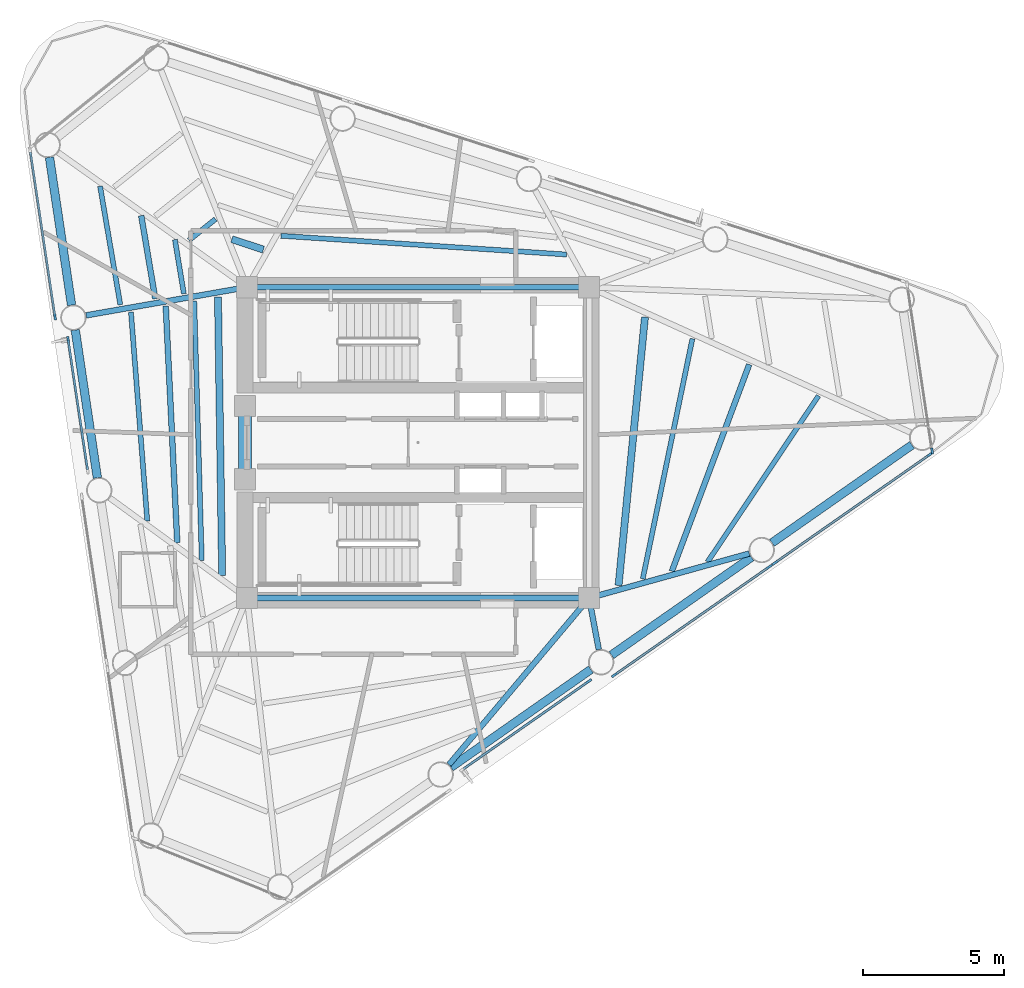
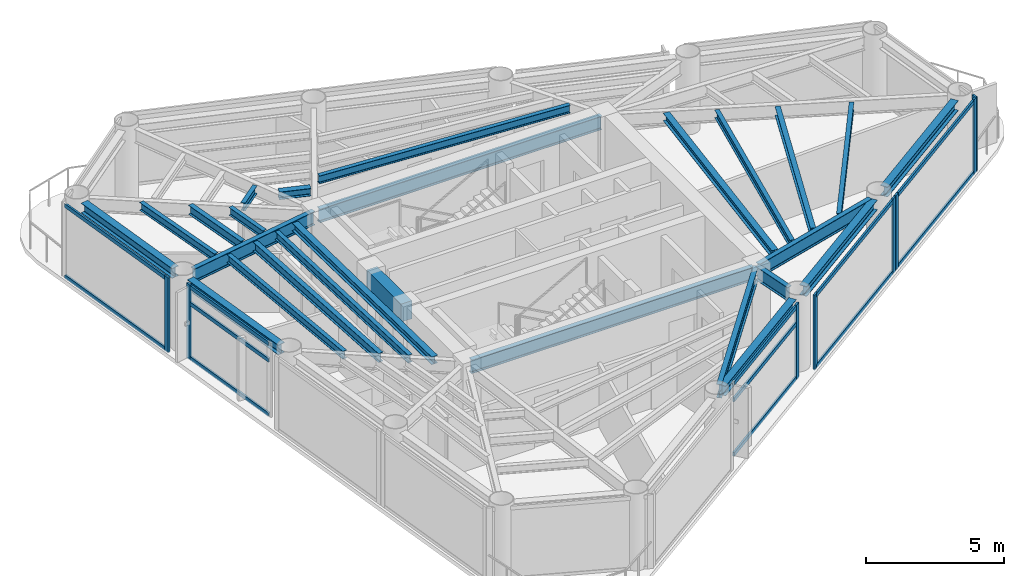
# One storey, part 2 of 9: 26 beams, 20 members, 6 elements without a shape of their own.
"""IFC4 building model written with IfcOpenShell, lengths in metres."""

from ifc_helpers import new_model, si_unit, direction, frame, origin, origin_2d, place, context, subcontext, project, spatial, rectangle, i_section, extrude, source, transform, mapped, material, layer, layer_set, material_profile, profile_set, type_object, element, aggregate, save


model = new_model("IFC4")

# Units and contexts
model_context = context("Model", 3, precision=1e-05, world=origin(), true_north=direction((0.0, 1.0)))
body_context = subcontext(model_context, "Body", "Model", "MODEL_VIEW")
ifc_project = project(units=[si_unit("LENGTHUNIT", "METRE"), si_unit("AREAUNIT", "SQUARE_METRE"), si_unit("VOLUMEUNIT", "CUBIC_METRE"), si_unit("PLANEANGLEUNIT", "RADIAN"), si_unit("MASSUNIT", "GRAM", prefix="KILO")], contexts=[model_context])

# Site, building, storey
site_placement = place(None, origin())
site = spatial("IfcSite", under=ifc_project, at=site_placement, CompositionType="ELEMENT")
building_placement = place(site_placement, origin())
building = spatial("IfcBuilding", under=site, at=building_placement, Name="Yunling Apex Tower", CompositionType="ELEMENT")
storey_placement = place(building_placement, frame((0.0, 0.0, 264.35009765625)))
storey = spatial("IfcBuildingStorey", under=building, at=storey_placement, Name="L64", CompositionType="ELEMENT", Elevation=264.35009765625)

# Beams
ifc_material_1 = material(Name="Concrete C40", Category="concrete")
ifc_material_profile_1 = material_profile(ifc_material_1, rectangle(XDim=0.449951171875, YDim=0.800048828125, at=origin_2d()))
ifc_profile_set_1 = profile_set([ifc_material_profile_1], Name="Concrete C40")
beam_type_1 = type_object("IfcBeamType", Name="BC-CPL-3", PredefinedType="BEAM", material=ifc_profile_set_1)
shared_shape_1 = source(origin(), body_context, "Body", "SweptSolid", [
    extrude(rectangle(XDim=0.449951171875, YDim=0.800048828125, at=origin_2d()), origin(), (0.0, 0.0, 1.0), 2.5),
])
beam_1_placement = place(storey_placement, frame((-6.125, -1.25, 2.81982421875), z_axis=(0.0, 1.0, 0.0), x_axis=(-1.0, 0.0, 0.0)))
element("IfcBeam", 1, at=beam_1_placement, inside=storey, type_object=beam_type_1, Name="L64 Core West Portal Coupling Beam", PredefinedType="BEAM", context=body_context, shape_type="MappedRepresentation", body=[
    mapped(shared_shape_1, transform((0.0, 0.0, 0.0), scale=1.0)),
])
ifc_material_2 = material(Name="Steel Q355B", Category="steel")
ifc_material_profile_2 = material_profile(ifc_material_2, i_section(OverallWidth=0.199951171875, OverallDepth=0.60009765625, WebThickness=0.010986328125, FlangeThickness=0.01708984375, FilletRadius=0.02197265625, at=origin_2d()))
ifc_profile_set_2 = profile_set([ifc_material_profile_2], Name="Steel Q355B")
beam_type_2 = type_object("IfcBeamType", Name="BG-PRI-5", PredefinedType="USERDEFINED", material=ifc_profile_set_2)
shared_shape_2 = source(origin(), body_context, "Body", "SweptSolid", [
    extrude(i_section(OverallWidth=0.199951171875, OverallDepth=0.60009765625, WebThickness=0.010986328125, FlangeThickness=0.01708984375, FilletRadius=0.02197265625, at=origin_2d()), origin(), (0.0, 0.0, 1.0), 11.7998046875),
])
for number, where, z_axis, x_axis, name in (
    (2, (-5.89990234375, -5.5, 2.919921875), (1.0, 0.0, 0.0), (0.0, 1.0, 0.0), "L64 Core Ring Tie Beam 1"),
    (3, (5.89990234375, 5.5, 2.919921875), (-1.0, 0.0, 0.0), (0.0, -1.0, 0.0), "L64 Core Ring Tie Beam 3"),
):
    element("IfcBeam", number, at=place(storey_placement, frame(where, z_axis=z_axis, x_axis=x_axis)), inside=storey, type_object=beam_type_2, Name=name, ObjectType="GIRDER", PredefinedType="USERDEFINED", context=body_context, shape_type="MappedRepresentation", body=[
        mapped(shared_shape_2, transform((0.0, 0.0, 0.0), scale=1.0)),
    ])
ifc_material_profile_3 = material_profile(ifc_material_2, i_section(OverallWidth=0.300048828125, OverallDepth=0.43994140625, WebThickness=0.010986328125, FlangeThickness=0.01806640625, FilletRadius=0.02197265625, at=origin_2d()))
ifc_profile_set_3 = profile_set([ifc_material_profile_3], Name="Steel Q355B")
beam_type_3 = type_object("IfcBeamType", Name="BP-SPN-3", PredefinedType="SPANDREL", material=ifc_profile_set_3)
shared_shape_3 = source(origin(), body_context, "Body", "SweptSolid", [
    extrude(i_section(OverallWidth=0.300048828125, OverallDepth=0.43994140625, WebThickness=0.010986328125, FlangeThickness=0.01806640625, FilletRadius=0.02197265625, at=origin_2d()), origin(), (0.0, 0.0, 1.0), 6.043701171875),
])
for number, where, z_axis, x_axis, name in (
    (4, (1.160888671875, -11.490478515625, 3.0), (0.819546828705, 0.5730122124, 0.0), (-0.5730122124, 0.819546828705, 0.0), "L64 Perimeter Spandrel Beam 2"),
    (5, (6.841796875, -7.5185546875, 3.0), (0.819546828705, 0.5730122124, 0.0), (-0.5730122124, 0.819546828705, 0.0), "L64 Perimeter Spandrel Beam 3"),
    (6, (12.522705078125, -3.546630859375, 3.0), (0.819546828705, 0.5730122124, 0.0), (-0.5730122124, 0.819546828705, 0.0), "L64 Perimeter Spandrel Beam 4"),
):
    element("IfcBeam", number, at=place(storey_placement, frame(where, z_axis=z_axis, x_axis=x_axis)), inside=storey, type_object=beam_type_3, Name=name, PredefinedType="SPANDREL", context=body_context, shape_type="MappedRepresentation", body=[
        mapped(shared_shape_3, transform((0.0, 0.0, 0.0), scale=1.0)),
    ])
shared_shape_4 = source(origin(), body_context, "Body", "SweptSolid", [
    extrude(i_section(OverallWidth=0.300048828125, OverallDepth=0.43994140625, WebThickness=0.010986328125, FlangeThickness=0.01806640625, FilletRadius=0.02197265625, at=origin_2d()), origin(), (0.0, 0.0, 1.0), 5.289306640625),
])
for number, where, z_axis, x_axis, name in (
    (7, (-13.044189453125, 10.09326171875, 3.0), (0.147841619944, -0.989011049186, 0.0), (0.989011049186, 0.147841619944, 0.0), "L64 Perimeter Spandrel Beam 11"),
    (8, (-12.131103515625, 3.98388671875, 3.0), (0.147796471114, -0.989017797174, 0.0), (0.989017797174, 0.147796471114, 0.0), "L64 Perimeter Spandrel Beam 12"),
):
    element("IfcBeam", number, at=place(storey_placement, frame(where, z_axis=z_axis, x_axis=x_axis)), inside=storey, type_object=beam_type_3, Name=name, PredefinedType="SPANDREL", context=body_context, shape_type="MappedRepresentation", body=[
        mapped(shared_shape_4, transform((0.0, 0.0, 0.0), scale=1.0)),
    ])
shared_shape_5 = source(origin(), body_context, "Body", "SweptSolid", [
    extrude(i_section(OverallWidth=0.199951171875, OverallDepth=0.60009765625, WebThickness=0.010986328125, FlangeThickness=0.01708984375, FilletRadius=0.02197265625, at=origin_2d()), origin(), (0.0, 0.0, 1.0), 7.622314453125),
])
beam_2_placement = place(storey_placement, frame((1.091796875, -11.394287109375, 2.919921875), z_axis=(0.64373126237, 0.765251633025, 0.0), x_axis=(-0.765251633025, 0.64373126237, 0.0)))
element("IfcBeam", 9, at=beam_2_placement, inside=storey, type_object=beam_type_2, Name="L64 Radial Primary Girder R02", ObjectType="GIRDER", PredefinedType="USERDEFINED", context=body_context, shape_type="MappedRepresentation", body=[
    mapped(shared_shape_5, transform((0.0, 0.0, 0.0), scale=1.0)),
])
shared_shape_6 = source(origin(), body_context, "Body", "SweptSolid", [
    extrude(i_section(OverallWidth=0.199951171875, OverallDepth=0.60009765625, WebThickness=0.010986328125, FlangeThickness=0.01708984375, FilletRadius=0.02197265625, at=origin_2d()), origin(), (0.0, 0.0, 1.0), 1.775146484375),
])
beam_3_placement = place(storey_placement, frame((6.393310546875, -7.322998046875, 2.919921875), z_axis=(-0.185127194989, 0.982714567754, 0.0), x_axis=(-0.982714567754, -0.185127194989, 0.0)))
element("IfcBeam", 10, at=beam_3_placement, inside=storey, type_object=beam_type_2, Name="L64 Radial Primary Girder R03", ObjectType="GIRDER", PredefinedType="USERDEFINED", context=body_context, shape_type="MappedRepresentation", body=[
    mapped(shared_shape_6, transform((0.0, 0.0, 0.0), scale=1.0)),
])
shared_shape_7 = source(origin(), body_context, "Body", "SweptSolid", [
    extrude(i_section(OverallWidth=0.199951171875, OverallDepth=0.60009765625, WebThickness=0.010986328125, FlangeThickness=0.01708984375, FilletRadius=0.02197265625, at=origin_2d()), origin(), (0.0, 0.0, 1.0), 5.802490234375),
])
beam_4_placement = place(storey_placement, frame((11.717529296875, -3.923828125, 2.919921875), z_axis=(-0.963437091081, -0.267934640405, 0.0), x_axis=(0.267934640405, -0.963437091081, 0.0)))
element("IfcBeam", 11, at=beam_4_placement, inside=storey, type_object=beam_type_2, Name="L64 Radial Primary Girder R04", ObjectType="GIRDER", PredefinedType="USERDEFINED", context=body_context, shape_type="MappedRepresentation", body=[
    mapped(shared_shape_7, transform((0.0, 0.0, 0.0), scale=1.0)),
])
shared_shape_8 = source(origin(), body_context, "Body", "SweptSolid", [
    extrude(i_section(OverallWidth=0.199951171875, OverallDepth=0.60009765625, WebThickness=0.010986328125, FlangeThickness=0.01708984375, FilletRadius=0.02197265625, at=origin_2d()), origin(), (0.0, 0.0, 1.0), 5.7021484375),
])
beam_5_placement = place(storey_placement, frame((-11.74560546875, 4.501953125, 2.919921875), z_axis=(0.984994459553, 0.172585963073, 0.0), x_axis=(-0.172585963073, 0.984994459553, 0.0)))
element("IfcBeam", 12, at=beam_5_placement, inside=storey, type_object=beam_type_2, Name="L64 Radial Primary Girder R12", ObjectType="GIRDER", PredefinedType="USERDEFINED", context=body_context, shape_type="MappedRepresentation", body=[
    mapped(shared_shape_8, transform((0.0, 0.0, 0.0), scale=1.0)),
])
ifc_material_profile_4 = material_profile(ifc_material_2, i_section(OverallWidth=0.199951171875, OverallDepth=0.39990234375, WebThickness=0.008056640625, FlangeThickness=0.012939453125, FilletRadius=0.01611328125, at=origin_2d()))
ifc_profile_set_4 = profile_set([ifc_material_profile_4], Name="Steel Q355B")
beam_type_4 = type_object("IfcBeamType", Name="BS-SEC-4", PredefinedType="BEAM", material=ifc_profile_set_4)
shared_shape_9 = source(origin(), body_context, "Body", "SweptSolid", [
    extrude(i_section(OverallWidth=0.199951171875, OverallDepth=0.39990234375, WebThickness=0.008056640625, FlangeThickness=0.012939453125, FilletRadius=0.01611328125, at=origin_2d()), origin(), (0.0, 0.0, 1.0), 7.810546875),
])
beam_6_placement = place(storey_placement, frame((8.978515625, -4.551513671875, 3.02001953125), z_axis=(0.350554744198, 0.936542242144, 0.0), x_axis=(-0.936542242144, 0.350554744198, 0.0)))
element("IfcBeam", 13, at=beam_6_placement, inside=storey, type_object=beam_type_4, Name="L64 Composite Floor Beam BS-4", PredefinedType="BEAM", context=body_context, shape_type="MappedRepresentation", body=[
    mapped(shared_shape_9, transform((0.0, 0.0, 0.0), scale=1.0)),
])
ifc_material_profile_5 = material_profile(ifc_material_2, i_section(OverallWidth=0.175048828125, OverallDepth=0.35009765625, WebThickness=0.007080078125, FlangeThickness=0.010986328125, FilletRadius=0.013916015625, at=origin_2d()))
ifc_profile_set_5 = profile_set([ifc_material_profile_5], Name="Steel Q355B")
beam_type_5 = type_object("IfcBeamType", Name="BJ-JST-1", PredefinedType="JOIST", material=ifc_profile_set_5)
shared_shape_10 = source(origin(), body_context, "Body", "SweptSolid", [
    extrude(i_section(OverallWidth=0.175048828125, OverallDepth=0.35009765625, WebThickness=0.007080078125, FlangeThickness=0.010986328125, FilletRadius=0.013916015625, at=origin_2d()), origin(), (0.0, 0.0, 1.0), 7.07373046875),
])
beam_7_placement = place(storey_placement, frame((10.240966796875, -4.22607421875, 3.044921875), z_axis=(0.555384960756, 0.831593377418, 0.0), x_axis=(-0.831593377418, 0.555384960756, 0.0)))
element("IfcBeam", 14, at=beam_7_placement, inside=storey, type_object=beam_type_5, Name="L64 Composite Floor Joist BJ1-4", PredefinedType="JOIST", context=body_context, shape_type="MappedRepresentation", body=[
    mapped(shared_shape_10, transform((0.0, 0.0, 0.0), scale=1.0)),
])
shared_shape_11 = source(origin(), body_context, "Body", "SweptSolid", [
    extrude(i_section(OverallWidth=0.175048828125, OverallDepth=0.35009765625, WebThickness=0.007080078125, FlangeThickness=0.010986328125, FilletRadius=0.013916015625, at=origin_2d()), origin(), (0.0, 0.0, 1.0), 8.68017578125),
])
beam_8_placement = place(storey_placement, frame((7.948486328125, -4.824462890625, 3.044921875), z_axis=(0.202510736311, 0.97928004252, 0.0), x_axis=(-0.97928004252, 0.202510736311, 0.0)))
element("IfcBeam", 15, at=beam_8_placement, inside=storey, type_object=beam_type_5, Name="L64 Composite Floor Joist BJ3-4", PredefinedType="JOIST", context=body_context, shape_type="MappedRepresentation", body=[
    mapped(shared_shape_11, transform((0.0, 0.0, 0.0), scale=1.0)),
])
ifc_material_profile_6 = material_profile(ifc_material_2, i_section(OverallWidth=0.25, OverallDepth=0.340087890625, WebThickness=0.009033203125, FlangeThickness=0.013916015625, FilletRadius=0.01806640625, at=origin_2d()))
ifc_profile_set_6 = profile_set([ifc_material_profile_6], Name="Steel Q355B")
beam_type_6 = type_object("IfcBeamType", Name="BJ-JST-2", PredefinedType="JOIST", material=ifc_profile_set_6)
shared_shape_12 = source(origin(), body_context, "Body", "SweptSolid", [
    extrude(i_section(OverallWidth=0.25, OverallDepth=0.340087890625, WebThickness=0.009033203125, FlangeThickness=0.013916015625, FilletRadius=0.01806640625, at=origin_2d()), origin(), (0.0, 0.0, 1.0), 9.54052734375),
])
beam_9_placement = place(storey_placement, frame((7.093017578125, -5.05517578125, 3.0498046875), z_axis=(0.098008759691, 0.995185552057, 0.0), x_axis=(-0.995185552057, 0.098008759691, 0.0)))
element("IfcBeam", 16, at=beam_9_placement, inside=storey, type_object=beam_type_6, Name="L64 Composite Floor Joist BJ2-4", PredefinedType="JOIST", context=body_context, shape_type="MappedRepresentation", body=[
    mapped(shared_shape_12, transform((0.0, 0.0, 0.0), scale=1.0)),
])
shared_shape_13 = source(origin(), body_context, "Body", "SweptSolid", [
    extrude(i_section(OverallWidth=0.175048828125, OverallDepth=0.35009765625, WebThickness=0.007080078125, FlangeThickness=0.010986328125, FilletRadius=0.013916015625, at=origin_2d()), origin(), (0.0, 0.0, 1.0), 10.130615234375),
])
beam_10_placement = place(storey_placement, frame((5.254150390625, 6.654541015625, 3.044921875), z_axis=(-0.997852458327, 0.065501690135, 0.0), x_axis=(-0.065501690135, -0.997852458327, 0.0)))
element("IfcBeam", 17, at=beam_10_placement, inside=storey, type_object=beam_type_5, Name="L64 Composite Floor Joist BJ3-8", PredefinedType="JOIST", context=body_context, shape_type="MappedRepresentation", body=[
    mapped(shared_shape_13, transform((0.0, 0.0, 0.0), scale=1.0)),
])
shared_shape_14 = source(origin(), body_context, "Body", "SweptSolid", [
    extrude(i_section(OverallWidth=0.25, OverallDepth=0.340087890625, WebThickness=0.009033203125, FlangeThickness=0.013916015625, FilletRadius=0.01806640625, at=origin_2d()), origin(), (0.0, 0.0, 1.0), 1.1728515625),
])
beam_11_placement = place(storey_placement, frame((-5.4775390625, 6.8291015625, 3.0498046875), z_axis=(-0.949595193506, 0.31347881662, 0.0), x_axis=(-0.31347881662, -0.949595193506, 0.0)))
element("IfcBeam", 18, at=beam_11_placement, inside=storey, type_object=beam_type_6, Name="L64 Composite Floor Joist BJ2-9", PredefinedType="JOIST", context=body_context, shape_type="MappedRepresentation", body=[
    mapped(shared_shape_14, transform((0.0, 0.0, 0.0), scale=1.0)),
])
shared_shape_15 = source(origin(), body_context, "Body", "SweptSolid", [
    extrude(i_section(OverallWidth=0.175048828125, OverallDepth=0.35009765625, WebThickness=0.007080078125, FlangeThickness=0.010986328125, FilletRadius=0.013916015625, at=origin_2d()), origin(), (0.0, 0.0, 1.0), 1.2021484375),
])
beam_12_placement = place(storey_placement, frame((-7.169921875, 7.9072265625, 3.044921875), z_axis=(-0.781225299788, -0.624249173785, 0.0), x_axis=(0.624249173785, -0.781225299788, 0.0)))
element("IfcBeam", 19, at=beam_12_placement, inside=storey, type_object=beam_type_5, Name="L64 Composite Floor Joist BJ3-10", PredefinedType="JOIST", context=body_context, shape_type="MappedRepresentation", body=[
    mapped(shared_shape_15, transform((0.0, 0.0, 0.0), scale=1.0)),
])
shared_shape_16 = source(origin(), body_context, "Body", "SweptSolid", [
    extrude(i_section(OverallWidth=0.199951171875, OverallDepth=0.39990234375, WebThickness=0.008056640625, FlangeThickness=0.012939453125, FilletRadius=0.01611328125, at=origin_2d()), origin(), (0.0, 0.0, 1.0), 2.980712890625),
])
beam_13_placement = place(storey_placement, frame((-9.796630859375, 8.031982421875, 3.02001953125), z_axis=(0.166351127682, -0.986066581078, 0.0), x_axis=(0.986066581078, 0.166351127682, 0.0)))
element("IfcBeam", 20, at=beam_13_placement, inside=storey, type_object=beam_type_4, Name="L64 Composite Floor Beam BS-11", PredefinedType="BEAM", context=body_context, shape_type="MappedRepresentation", body=[
    mapped(shared_shape_16, transform((0.0, 0.0, 0.0), scale=1.0)),
])
shared_shape_17 = source(origin(), body_context, "Body", "SweptSolid", [
    extrude(i_section(OverallWidth=0.175048828125, OverallDepth=0.35009765625, WebThickness=0.007080078125, FlangeThickness=0.010986328125, FilletRadius=0.013916015625, at=origin_2d()), origin(), (0.0, 0.0, 1.0), 4.2548828125),
])
beam_14_placement = place(storey_placement, frame((-11.253173828125, 9.0703125, 3.044921875), z_axis=(0.168352217176, -0.985726904864, 0.0), x_axis=(0.985726904864, 0.168352217176, 0.0)))
element("IfcBeam", 21, at=beam_14_placement, inside=storey, type_object=beam_type_5, Name="L64 Composite Floor Joist BJ1-11", PredefinedType="JOIST", context=body_context, shape_type="MappedRepresentation", body=[
    mapped(shared_shape_17, transform((0.0, 0.0, 0.0), scale=1.0)),
])
shared_shape_18 = source(origin(), body_context, "Body", "SweptSolid", [
    extrude(i_section(OverallWidth=0.175048828125, OverallDepth=0.35009765625, WebThickness=0.007080078125, FlangeThickness=0.010986328125, FilletRadius=0.013916015625, at=origin_2d()), origin(), (0.0, 0.0, 1.0), 1.93798828125),
])
beam_15_placement = place(storey_placement, frame((-8.605224609375, 7.18212890625, 3.044921875), z_axis=(0.163009711077, -0.986624464573, 0.0), x_axis=(0.986624464573, 0.163009711077, 0.0)))
element("IfcBeam", 22, at=beam_15_placement, inside=storey, type_object=beam_type_5, Name="L64 Composite Floor Joist BJ3-11", PredefinedType="JOIST", context=body_context, shape_type="MappedRepresentation", body=[
    mapped(shared_shape_18, transform((0.0, 0.0, 0.0), scale=1.0)),
])
shared_shape_19 = source(origin(), body_context, "Body", "SweptSolid", [
    extrude(i_section(OverallWidth=0.199951171875, OverallDepth=0.39990234375, WebThickness=0.008056640625, FlangeThickness=0.012939453125, FilletRadius=0.01611328125, at=origin_2d()), origin(), (0.0, 0.0, 1.0), 8.388916015625),
])
beam_16_placement = place(storey_placement, frame((-8.929443359375, 4.834228515625, 3.02001953125), z_axis=(0.048573134041, -0.998819628687, 0.0), x_axis=(0.998819628687, 0.048573134041, 0.0)))
element("IfcBeam", 23, at=beam_16_placement, inside=storey, type_object=beam_type_4, Name="L64 Composite Floor Beam BS-12", PredefinedType="BEAM", context=body_context, shape_type="MappedRepresentation", body=[
    mapped(shared_shape_19, transform((0.0, 0.0, 0.0), scale=1.0)),
])
shared_shape_20 = source(origin(), body_context, "Body", "SweptSolid", [
    extrude(i_section(OverallWidth=0.175048828125, OverallDepth=0.35009765625, WebThickness=0.007080078125, FlangeThickness=0.010986328125, FilletRadius=0.013916015625, at=origin_2d()), origin(), (0.0, 0.0, 1.0), 7.416259765625),
])
beam_17_placement = place(storey_placement, frame((-10.160400390625, 4.6181640625, 3.044921875), z_axis=(0.077952594819, -0.996957066759, 0.0), x_axis=(0.996957066759, 0.077952594819, 0.0)))
element("IfcBeam", 24, at=beam_17_placement, inside=storey, type_object=beam_type_5, Name="L64 Composite Floor Joist BJ1-12", PredefinedType="JOIST", context=body_context, shape_type="MappedRepresentation", body=[
    mapped(shared_shape_20, transform((0.0, 0.0, 0.0), scale=1.0)),
])
shared_shape_21 = source(origin(), body_context, "Body", "SweptSolid", [
    extrude(i_section(OverallWidth=0.175048828125, OverallDepth=0.35009765625, WebThickness=0.007080078125, FlangeThickness=0.010986328125, FilletRadius=0.013916015625, at=origin_2d()), origin(), (0.0, 0.0, 1.0), 9.189208984375),
])
beam_18_placement = place(storey_placement, frame((-7.92138671875, 5.01123046875, 3.044921875), z_axis=(0.028986034605, -0.999579816622, 0.0), x_axis=(0.999579816622, 0.028986034605, 0.0)))
element("IfcBeam", 25, at=beam_18_placement, inside=storey, type_object=beam_type_5, Name="L64 Composite Floor Joist BJ3-12", PredefinedType="JOIST", context=body_context, shape_type="MappedRepresentation", body=[
    mapped(shared_shape_21, transform((0.0, 0.0, 0.0), scale=1.0)),
])
shared_shape_22 = source(origin(), body_context, "Body", "SweptSolid", [
    extrude(i_section(OverallWidth=0.25, OverallDepth=0.340087890625, WebThickness=0.009033203125, FlangeThickness=0.013916015625, FilletRadius=0.01806640625, at=origin_2d()), origin(), (0.0, 0.0, 1.0), 9.858642578125),
])
beam_19_placement = place(storey_placement, frame((-7.081298828125, 5.158935546875, 3.0498046875), z_axis=(0.015056743551, -0.999886640812, 0.0), x_axis=(0.999886640812, 0.015056743551, 0.0)))
element("IfcBeam", 26, at=beam_19_placement, inside=storey, type_object=beam_type_6, Name="L64 Composite Floor Joist BJ2-12", PredefinedType="JOIST", context=body_context, shape_type="MappedRepresentation", body=[
    mapped(shared_shape_22, transform((0.0, 0.0, 0.0), scale=1.0)),
])

# Curtain wall, member
ifc_material_3 = material(Name="Bronze anodised aluminium", Category="aluminium")
ifc_layer = layer(ifc_material_3, 0.219970703125)
ifc_layer_set = layer_set([ifc_layer], Name="Bronze anodised aluminium")
curtain_wall_type = type_object("IfcCurtainWallType", Name="CW-SYS-4", PredefinedType="NOTDEFINED", material=ifc_layer_set)
curtain_wall_1_placement = place(storey_placement, origin())
curtain_wall_1 = element("IfcCurtainWall", 27, at=curtain_wall_1_placement, inside=storey, type_object=curtain_wall_type, Name="CW-L64-F1-B2", PredefinedType="NOTDEFINED")
ifc_material_profile_7 = material_profile(ifc_material_3, rectangle(XDim=0.080078125, YDim=0.219970703125, at=origin_2d()))
ifc_profile_set_7 = profile_set([ifc_material_profile_7], Name="Bronze anodised aluminium")
member_type_1 = type_object("IfcMemberType", Name="CW-MUL-4", PredefinedType="MULLION", material=ifc_profile_set_7)
shared_shape_23 = source(origin(), body_context, "Body", "SweptSolid", [
    extrude(rectangle(XDim=0.080078125, YDim=0.219970703125, at=origin_2d()), origin(), (0.0, 0.0, 1.0), 3.320068359375),
])
member_1_placement = place(storey_placement, frame((6.04345703125, -8.44287109375, -0.050048828125), z_axis=(0.0, 0.0, 1.0), x_axis=(-0.57299879219, 0.819556211708, 0.0)))
member_1 = element("IfcMember", 28, at=member_1_placement, type_object=member_type_1, Name="CW-SYS-4 mullion 2", PredefinedType="MULLION", context=body_context, shape_type="MappedRepresentation", body=[
    mapped(shared_shape_23, transform((0.0, 0.0, 0.0), scale=1.0)),
])

# Curtain wall, members
curtain_wall_2_placement = place(storey_placement, origin())
curtain_wall_2 = element("IfcCurtainWall", 29, at=curtain_wall_2_placement, inside=storey, type_object=curtain_wall_type, Name="CW-L64-F1-B3", PredefinedType="NOTDEFINED")
member_2_placement = place(storey_placement, frame((6.94287109375, -8.228759765625, -0.050048828125), z_axis=(0.0, 0.0, 1.0), x_axis=(-0.573010322379, 0.81954815017, 0.0)))
member_2 = element("IfcMember", 30, at=member_2_placement, type_object=member_type_1, Name="CW-SYS-4 mullion 1", PredefinedType="MULLION", context=body_context, shape_type="MappedRepresentation", body=[
    mapped(shared_shape_23, transform((0.0, 0.0, 0.0), scale=1.0)),
])
member_3_placement = place(storey_placement, frame((12.42724609375, -4.394287109375, -0.050048828125), z_axis=(0.0, 0.0, 1.0), x_axis=(-0.573010322379, 0.81954815017, 0.0)))
member_3 = element("IfcMember", 31, at=member_3_placement, type_object=member_type_1, Name="CW-SYS-4 mullion 2", PredefinedType="MULLION", context=body_context, shape_type="MappedRepresentation", body=[
    mapped(shared_shape_23, transform((0.0, 0.0, 0.0), scale=1.0)),
])

curtain_wall_3_placement = place(storey_placement, origin())
curtain_wall_3 = element("IfcCurtainWall", 32, at=curtain_wall_3_placement, inside=storey, type_object=curtain_wall_type, Name="CW-L64-F1-B4", PredefinedType="NOTDEFINED")
member_4_placement = place(storey_placement, frame((12.623779296875, -4.2568359375, -0.050048828125), z_axis=(0.0, 0.0, 1.0), x_axis=(-0.573000403744, 0.819555084976, 0.0)))
member_4 = element("IfcMember", 33, at=member_4_placement, type_object=member_type_1, Name="CW-SYS-4 mullion 1", PredefinedType="MULLION", context=body_context, shape_type="MappedRepresentation", body=[
    mapped(shared_shape_23, transform((0.0, 0.0, 0.0), scale=1.0)),
])
member_5_placement = place(storey_placement, frame((18.108154296875, -0.42236328125, -0.050048828125), z_axis=(0.0, 0.0, 1.0), x_axis=(-0.573000403744, 0.819555084976, 0.0)))
member_5 = element("IfcMember", 34, at=member_5_placement, type_object=member_type_1, Name="CW-SYS-4 mullion 2", PredefinedType="MULLION", context=body_context, shape_type="MappedRepresentation", body=[
    mapped(shared_shape_23, transform((0.0, 0.0, 0.0), scale=1.0)),
])

# Curtain wall, member
curtain_wall_4_placement = place(storey_placement, origin())
curtain_wall_4 = element("IfcCurtainWall", 35, at=curtain_wall_4_placement, inside=storey, type_object=curtain_wall_type, Name="CW-L64-CRN1", PredefinedType="NOTDEFINED")
member_6_placement = place(storey_placement, frame((18.189208984375, -0.2978515625, -0.050048828125), z_axis=(0.0, 0.0, 1.0), x_axis=(-0.989016885218, -0.147802573571, 0.0)))
member_6 = element("IfcMember", 36, at=member_6_placement, type_object=member_type_1, Name="CW-SYS-4 mullion 1", PredefinedType="MULLION", context=body_context, shape_type="MappedRepresentation", body=[
    mapped(shared_shape_23, transform((0.0, 0.0, 0.0), scale=1.0)),
])
aggregate(curtain_wall_4, [member_6])

curtain_wall_5_placement = place(storey_placement, origin())
curtain_wall_5 = element("IfcCurtainWall", 37, at=curtain_wall_5_placement, inside=storey, type_object=curtain_wall_type, Name="CW-L64-F3-B1", PredefinedType="NOTDEFINED")
member_7_placement = place(storey_placement, frame((-12.847412109375, 4.447265625, -0.050048828125), z_axis=(0.0, 0.0, 1.0), x_axis=(0.989016174309, 0.147807330522, 0.0)))
member_7 = element("IfcMember", 38, at=member_7_placement, type_object=member_type_1, Name="CW-SYS-4 mullion 2", PredefinedType="MULLION", context=body_context, shape_type="MappedRepresentation", body=[
    mapped(shared_shape_23, transform((0.0, 0.0, 0.0), scale=1.0)),
])

curtain_wall_6_placement = place(storey_placement, origin())
curtain_wall_6 = element("IfcCurtainWall", 39, at=curtain_wall_6_placement, inside=storey, type_object=curtain_wall_type, Name="CW-L64-F3-B2", PredefinedType="NOTDEFINED")
member_8_placement = place(storey_placement, frame((-12.384033203125, 3.646728515625, -0.050048828125), z_axis=(0.0, 0.0, 1.0), x_axis=(0.989016661745, 0.147804068926, 0.0)))
member_8 = element("IfcMember", 40, at=member_8_placement, type_object=member_type_1, Name="CW-SYS-4 mullion 1", PredefinedType="MULLION", context=body_context, shape_type="MappedRepresentation", body=[
    mapped(shared_shape_23, transform((0.0, 0.0, 0.0), scale=1.0)),
])

# Member
ifc_material_profile_8 = material_profile(ifc_material_3, rectangle(XDim=0.080078125, YDim=0.169921875, at=origin_2d()))
ifc_profile_set_8 = profile_set([ifc_material_profile_8], Name="Bronze anodised aluminium")
member_type_2 = type_object("IfcMemberType", Name="CW-TRN-4", PredefinedType="USERDEFINED", material=ifc_profile_set_8)
shared_shape_24 = source(origin(), body_context, "Body", "SweptSolid", [
    extrude(rectangle(XDim=0.080078125, YDim=0.169921875, at=origin_2d()), origin(), (0.0, 0.0, 1.0), 6.61962890625),
])
member_9_placement = place(storey_placement, frame((12.6533203125, -4.236083984375, 0.039794921875), z_axis=(0.819567916002, 0.572982051255, 0.0), x_axis=(-0.572982051255, 0.819567916002, 0.0)))
member_9 = element("IfcMember", 41, at=member_9_placement, type_object=member_type_2, Name="CW-SYS-4 transom 1.1", ObjectType="TRANSOM", PredefinedType="USERDEFINED", context=body_context, shape_type="MappedRepresentation", body=[
    mapped(shared_shape_24, transform((0.0, 0.0, 0.0), scale=1.0)),
])

member_10_placement = place(storey_placement, frame((12.6533203125, -4.236083984375, 3.179931640625), z_axis=(0.819567916002, 0.572982051255, 0.0), x_axis=(-0.572982051255, 0.819567916002, 0.0)))
member_10 = element("IfcMember", 42, at=member_10_placement, type_object=member_type_2, Name="CW-SYS-4 transom 1.2", ObjectType="TRANSOM", PredefinedType="USERDEFINED", context=body_context, shape_type="MappedRepresentation", body=[
    mapped(shared_shape_24, transform((0.0, 0.0, 0.0), scale=1.0)),
])

aggregate(curtain_wall_3, [member_4, member_5, member_9, member_10])

shared_shape_25 = source(origin(), body_context, "Body", "SweptSolid", [
    extrude(rectangle(XDim=0.080078125, YDim=0.169921875, at=origin_2d()), origin(), (0.0, 0.0, 1.0), 5.379638671875),
])
member_11_placement = place(storey_placement, frame((1.60498046875, -11.546142578125, 0.039794921875), z_axis=(0.819557991913, 0.572996245966, 0.0), x_axis=(-0.572996245966, 0.819557991913, 0.0)))
member_11 = element("IfcMember", 43, at=member_11_placement, type_object=member_type_2, Name="CW-SYS-4 transom 1.1", ObjectType="TRANSOM", PredefinedType="USERDEFINED", context=body_context, shape_type="MappedRepresentation", body=[
    mapped(shared_shape_25, transform((0.0, 0.0, 0.0), scale=1.0)),
])

member_12_placement = place(storey_placement, frame((1.60498046875, -11.546142578125, 2.447021484375), z_axis=(0.819557991913, 0.572996245966, 0.0), x_axis=(-0.572996245966, 0.819557991913, 0.0)))
member_12 = element("IfcMember", 44, at=member_12_placement, type_object=member_type_2, Name="CW-SYS-4 transom 1.2", ObjectType="TRANSOM", PredefinedType="USERDEFINED", context=body_context, shape_type="MappedRepresentation", body=[
    mapped(shared_shape_25, transform((0.0, 0.0, 0.0), scale=1.0)),
])

member_13_placement = place(storey_placement, frame((1.60498046875, -11.546142578125, 3.179931640625), z_axis=(0.819557991913, 0.572996245966, 0.0), x_axis=(-0.572996245966, 0.819557991913, 0.0)))
member_13 = element("IfcMember", 45, at=member_13_placement, type_object=member_type_2, Name="CW-SYS-4 transom 1.3", ObjectType="TRANSOM", PredefinedType="USERDEFINED", context=body_context, shape_type="MappedRepresentation", body=[
    mapped(shared_shape_25, transform((0.0, 0.0, 0.0), scale=1.0)),
])

aggregate(curtain_wall_1, [member_1, member_11, member_12, member_13])

shared_shape_26 = source(origin(), body_context, "Body", "SweptSolid", [
    extrude(rectangle(XDim=0.080078125, YDim=0.169921875, at=origin_2d()), origin(), (0.0, 0.0, 1.0), 6.619873046875),
])
member_14_placement = place(storey_placement, frame((6.972412109375, -8.208251953125, 0.039794921875), z_axis=(0.819550596795, 0.573006823077, 0.0), x_axis=(-0.573006823077, 0.819550596795, 0.0)))
member_14 = element("IfcMember", 46, at=member_14_placement, type_object=member_type_2, Name="CW-SYS-4 transom 1.1", ObjectType="TRANSOM", PredefinedType="USERDEFINED", context=body_context, shape_type="MappedRepresentation", body=[
    mapped(shared_shape_26, transform((0.0, 0.0, 0.0), scale=1.0)),
])

member_15_placement = place(storey_placement, frame((6.972412109375, -8.208251953125, 3.179931640625), z_axis=(0.819550596795, 0.573006823077, 0.0), x_axis=(-0.573006823077, 0.819550596795, 0.0)))
member_15 = element("IfcMember", 47, at=member_15_placement, type_object=member_type_2, Name="CW-SYS-4 transom 1.2", ObjectType="TRANSOM", PredefinedType="USERDEFINED", context=body_context, shape_type="MappedRepresentation", body=[
    mapped(shared_shape_26, transform((0.0, 0.0, 0.0), scale=1.0)),
])

aggregate(curtain_wall_2, [member_2, member_3, member_14, member_15])

shared_shape_27 = source(origin(), body_context, "Body", "SweptSolid", [
    extrude(rectangle(XDim=0.080078125, YDim=0.169921875, at=origin_2d()), origin(), (0.0, 0.0, 1.0), 5.865478515625),
])
member_16_placement = place(storey_placement, frame((-13.7197265625, 10.28369140625, 0.039794921875), z_axis=(0.147805126247, -0.989016503732, 0.0), x_axis=(0.989016503732, 0.147805126247, 0.0)))
member_16 = element("IfcMember", 48, at=member_16_placement, type_object=member_type_2, Name="CW-SYS-4 transom 1.1", ObjectType="TRANSOM", PredefinedType="USERDEFINED", context=body_context, shape_type="MappedRepresentation", body=[
    mapped(shared_shape_27, transform((0.0, 0.0, 0.0), scale=1.0)),
])

member_17_placement = place(storey_placement, frame((-13.7197265625, 10.28369140625, 3.179931640625), z_axis=(0.147805126247, -0.989016503732, 0.0), x_axis=(0.989016503732, 0.147805126247, 0.0)))
member_17 = element("IfcMember", 49, at=member_17_placement, type_object=member_type_2, Name="CW-SYS-4 transom 1.2", ObjectType="TRANSOM", PredefinedType="USERDEFINED", context=body_context, shape_type="MappedRepresentation", body=[
    mapped(shared_shape_27, transform((0.0, 0.0, 0.0), scale=1.0)),
])

aggregate(curtain_wall_5, [member_7, member_16, member_17])

shared_shape_28 = source(origin(), body_context, "Body", "SweptSolid", [
    extrude(rectangle(XDim=0.080078125, YDim=0.169921875, at=origin_2d()), origin(), (0.0, 0.0, 1.0), 4.625244140625),
])
member_18_placement = place(storey_placement, frame((-12.378662109375, 3.611328125, 0.039794921875), z_axis=(0.147795810874, -0.989017895838, 0.0), x_axis=(0.989017895838, 0.147795810874, 0.0)))
member_18 = element("IfcMember", 50, at=member_18_placement, type_object=member_type_2, Name="CW-SYS-4 transom 1.1", ObjectType="TRANSOM", PredefinedType="USERDEFINED", context=body_context, shape_type="MappedRepresentation", body=[
    mapped(shared_shape_28, transform((0.0, 0.0, 0.0), scale=1.0)),
])

member_19_placement = place(storey_placement, frame((-12.378662109375, 3.611328125, 2.447021484375), z_axis=(0.147795810874, -0.989017895838, 0.0), x_axis=(0.989017895838, 0.147795810874, 0.0)))
member_19 = element("IfcMember", 51, at=member_19_placement, type_object=member_type_2, Name="CW-SYS-4 transom 1.2", ObjectType="TRANSOM", PredefinedType="USERDEFINED", context=body_context, shape_type="MappedRepresentation", body=[
    mapped(shared_shape_28, transform((0.0, 0.0, 0.0), scale=1.0)),
])

member_20_placement = place(storey_placement, frame((-12.378662109375, 3.611328125, 3.179931640625), z_axis=(0.147795810874, -0.989017895838, 0.0), x_axis=(0.989017895838, 0.147795810874, 0.0)))
member_20 = element("IfcMember", 52, at=member_20_placement, type_object=member_type_2, Name="CW-SYS-4 transom 1.3", ObjectType="TRANSOM", PredefinedType="USERDEFINED", context=body_context, shape_type="MappedRepresentation", body=[
    mapped(shared_shape_28, transform((0.0, 0.0, 0.0), scale=1.0)),
])

aggregate(curtain_wall_6, [member_8, member_18, member_19, member_20])

save(model, "model.ifc")
